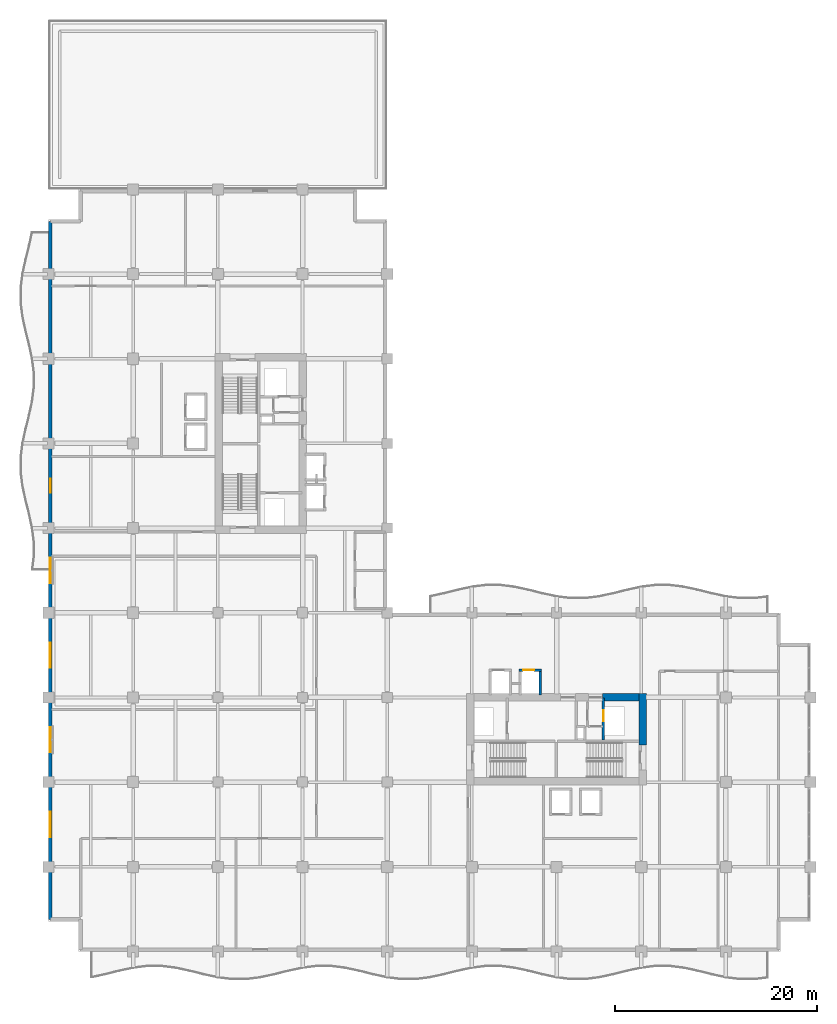
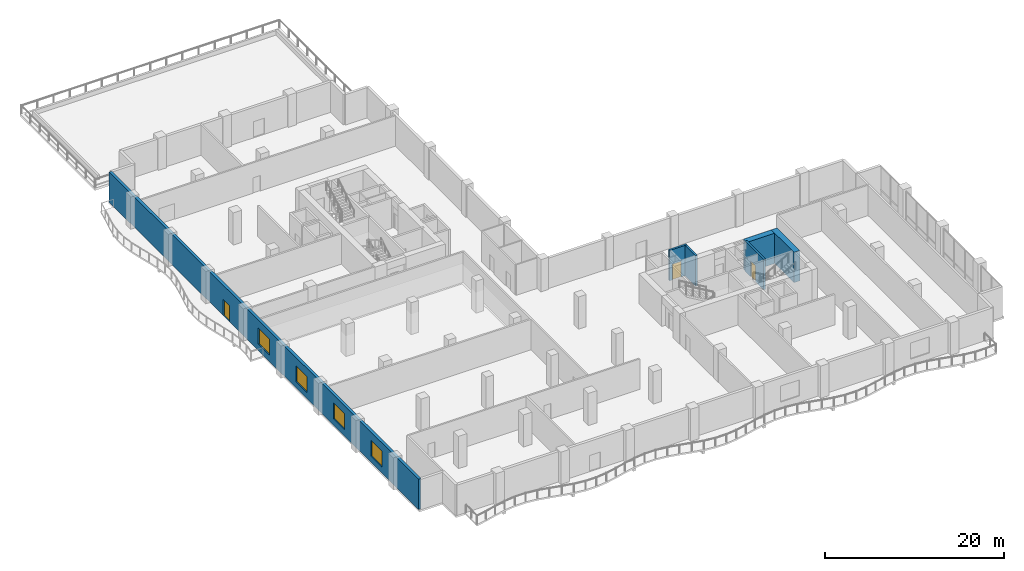
# One storey, part 11 of 22: 6 walls, 4 windows, 3 doors, 7 openings.
"""IFC4 building model written with IfcOpenShell, lengths in metres."""

import ifcopenshell
import ifcopenshell.guid

model = None  # the IFC model being written
_history = None  # IfcOwnerHistory: only IFC2X3 demands one
_inside = {}  # id of a spatial element -> (the spatial element, [elements in it])
_under = {}  # id of a project, library or spatial element -> (it, [spatial elements below it])
_declared = {}  # id of a project -> (the project, [libraries it declares])
_typed = {}  # id of a type object -> (the type object, [elements of that type])
_made_of = {}  # id of a material, layer set ... -> (it, [elements and type objects made of it])


def new_model(schema):
    """Start an empty IFC model of exactly this schema.

    Asked for "IFC4X3", IfcOpenShell would pick the latest addendum, in which some entities
    have other attributes; the version numbers below select the first issue.
    IFC2X3 requires an IfcOwnerHistory on every rooted entity: one is made here for all.
    """
    global model, _history
    if schema == "IFC4X3":
        model = ifcopenshell.file(schema_version=(4, 3, 0, 0))
    else:
        model = ifcopenshell.file(schema=schema)
    _inside.clear()
    _under.clear()
    _declared.clear()
    _typed.clear()
    _made_of.clear()
    _history = None
    if model.schema == "IFC2X3":
        org = make("IfcOrganization", Name="unknown")
        user = make(
            "IfcPersonAndOrganization",
            ThePerson=make("IfcPerson", FamilyName="unknown"),
            TheOrganization=org,
        )
        app = make(
            "IfcApplication",
            ApplicationDeveloper=org,
            Version="unknown",
            ApplicationFullName="unknown",
            ApplicationIdentifier="unknown",
        )
        _history = make(
            "IfcOwnerHistory",
            OwningUser=user,
            OwningApplication=app,
            ChangeAction="ADDED",
            CreationDate=0,
        )
    return model


def make(cls, **values):
    """One entity of the class cls with the attributes given. An attribute that is None is left unset."""
    return model.create_entity(
        cls, **{name: value for name, value in values.items() if value is not None}
    )


def rooted(cls, **values):
    """An entity with a GlobalId (a new one), such as an element, a storey or a relation."""
    return make(cls, GlobalId=ifcopenshell.guid.new(), OwnerHistory=_history, **values)


def si_unit(unit_type, name, prefix=None):
    """IfcSIUnit, for example si_unit("LENGTHUNIT", "METRE", prefix="MILLI")."""
    return make("IfcSIUnit", UnitType=unit_type, Prefix=prefix, Name=name)


def assignment(units):
    """IfcUnitAssignment: the units of a project."""
    return None if units is None else make("IfcUnitAssignment", Units=units)


def point(xyz):
    """IfcCartesianPoint."""
    return None if xyz is None else make("IfcCartesianPoint", Coordinates=xyz)


def direction(xyz):
    """IfcDirection."""
    return None if xyz is None else make("IfcDirection", DirectionRatios=xyz)


def frame(location, z_axis=None, x_axis=None):
    """IfcAxis2Placement3D, a coordinate frame: its origin and axes. An axis left out is left unset."""
    return make(
        "IfcAxis2Placement3D",
        Location=point(location),
        Axis=direction(z_axis),
        RefDirection=direction(x_axis),
    )


def frame_2d(location, x_axis=None):
    """IfcAxis2Placement2D, a coordinate frame in the plane: its origin and x axis."""
    return make(
        "IfcAxis2Placement2D", Location=point(location), RefDirection=direction(x_axis)
    )


def origin():
    """The frame at (0, 0, 0) with its axes left unset."""
    return frame((0.0, 0.0, 0.0))


def place(relative_to, where):
    """IfcLocalPlacement: puts the frame where relative to a parent placement (None: the world)."""
    return make(
        "IfcLocalPlacement", PlacementRelTo=relative_to, RelativePlacement=where
    )


def context(
    kind, dimensions, precision=None, world=None, true_north=None, identifier=None
):
    """IfcGeometricRepresentationContext, for example the 3D "Model" context."""
    return make(
        "IfcGeometricRepresentationContext",
        ContextIdentifier=identifier,
        ContextType=kind,
        CoordinateSpaceDimension=dimensions,
        Precision=precision,
        WorldCoordinateSystem=world,
        TrueNorth=true_north,
    )


def subcontext(parent, identifier, kind, view, scale=None):
    """IfcGeometricRepresentationSubContext, for example "Body" below "Model"."""
    return make(
        "IfcGeometricRepresentationSubContext",
        ContextIdentifier=identifier,
        ContextType=kind,
        ParentContext=parent,
        TargetScale=scale,
        TargetView=view,
    )


def project(units=None, contexts=None):
    """IfcProject with its units and contexts."""
    return rooted(
        "IfcProject",
        Name="project",
        RepresentationContexts=contexts,
        UnitsInContext=assignment(units),
    )


def spatial(cls, under=None, at=None, **own):
    """A site, building, storey or space (cls), placed at a placement, below another one or the project."""
    s = rooted(cls, ObjectPlacement=at, **own)
    if under is not None:
        _under.setdefault(under.id(), (under, []))[1].append(s)
    return s


def profile(cls, at=None, kind="AREA", **sizes):
    """A parametric profile (cls). Its sizes go by their IFC names, for example OverallWidth=200.0."""
    return make(cls, ProfileType=kind, Position=at, **sizes)


def rectangle(**sizes):
    """IfcRectangleProfileDef."""
    return profile("IfcRectangleProfileDef", **sizes)


def extrude(swept, where, along, depth):
    """IfcExtrudedAreaSolid: the profile swept, set in the frame where, extruded along a direction by depth."""
    return make(
        "IfcExtrudedAreaSolid",
        SweptArea=swept,
        Position=where,
        ExtrudedDirection=direction(along),
        Depth=depth,
    )


def shape(context_of_items, identifier, shape_type, items):
    """IfcShapeRepresentation: the items that make up one representation, for example the "Body"."""
    return make(
        "IfcShapeRepresentation",
        ContextOfItems=context_of_items,
        RepresentationIdentifier=identifier,
        RepresentationType=shape_type,
        Items=items,
    )


def material(Name=None, Category=None):
    """IfcMaterial."""
    return make("IfcMaterial", Name=Name, Category=Category)


def layer(
    of_material, thickness, ventilated=None, Name=None, Category=None, Priority=None
):
    """IfcMaterialLayer: one layer of a wall or slab, of a material (None: an air gap)."""
    return make(
        "IfcMaterialLayer",
        Material=of_material,
        LayerThickness=thickness,
        IsVentilated=ventilated,
        Name=Name,
        Category=Category,
        Priority=Priority,
    )


def layer_set(layers, Name=None):
    """IfcMaterialLayerSet."""
    return make("IfcMaterialLayerSet", MaterialLayers=layers, LayerSetName=Name)


def made_of(thing, what):
    """Note that an element or type object is made of a material, layer set ...; save() writes the relation."""
    if what is not None:
        _made_of.setdefault(what.id(), (what, []))[1].append(thing)
    return thing


def type_object(cls, material=None, **own):
    """A type object (cls), such as IfcWallType, which elements share."""
    return made_of(rooted(cls, **own), material)


def element(
    cls,
    number,
    at=None,
    inside=None,
    cuts=None,
    type_object=None,
    material=None,
    context=None,
    identifier="Body",
    shape_type=None,
    held_by="IfcProductDefinitionShape",
    body=None,
    shapes=None,
    **own,
):
    """One element of the class cls, such as IfcWall. Its Tag is "e" and its number.

    at: its placement. inside: the storey or other place that contains it. cuts: it is an
    opening in that element (IfcRelVoidsElement). A single representation is given by context,
    identifier, shape_type and body (its items); several are given by shapes. held_by: the class
    of the entity that holds the representations. save() writes the other relations.
    """
    e = rooted(cls, Tag="e%d" % number, ObjectPlacement=at, **own)
    if body is not None:
        shapes = [shape(context, identifier, shape_type, body)]
    if shapes is not None:
        e.Representation = make(held_by, Representations=shapes)
    if inside is not None:
        _inside.setdefault(inside.id(), (inside, []))[1].append(e)
    if cuts is not None:
        rooted(
            "IfcRelVoidsElement", RelatingBuildingElement=cuts, RelatedOpeningElement=e
        )
    if type_object is not None:
        _typed.setdefault(type_object.id(), (type_object, []))[1].append(e)
    return made_of(e, material)


def fill(opening, filler):
    """IfcRelFillsElement: the door or window that sits in an opening."""
    return rooted(
        "IfcRelFillsElement",
        RelatingOpeningElement=opening,
        RelatedBuildingElement=filler,
    )


def aggregate(whole, parts):
    """IfcRelAggregates: a whole, such as a stair, and the parts it consists of."""
    return rooted("IfcRelAggregates", RelatingObject=whole, RelatedObjects=parts)


def save(model, path):
    """Write the relations noted so far, then the file.

    IfcRelAggregates (storeys below a building ...), IfcRelContainedInSpatialStructure (elements
    in a storey), IfcRelDefinesByType, IfcRelAssociatesMaterial and IfcRelDeclares: one each for
    every whole, place, type object, material and project.
    """
    for whole, parts in _under.values():
        aggregate(whole, parts)
    for where, things in _inside.values():
        rooted(
            "IfcRelContainedInSpatialStructure",
            RelatedElements=things,
            RelatingStructure=where,
        )
    for kind, things in _typed.values():
        rooted("IfcRelDefinesByType", RelatedObjects=things, RelatingType=kind)
    for what, things in _made_of.values():
        rooted("IfcRelAssociatesMaterial", RelatedObjects=things, RelatingMaterial=what)
    for by, libraries in _declared.values():
        rooted("IfcRelDeclares", RelatingContext=by, RelatedDefinitions=libraries)
    model.write(path)


model = new_model("IFC4")

# Units and contexts
model_context = context("Model", 3, precision=1e-05, world=origin(), true_north=direction((0.0, 1.0)))
body_context = subcontext(model_context, "Body", "Model", "MODEL_VIEW")
ifc_project = project(units=[si_unit("LENGTHUNIT", "METRE"), si_unit("AREAUNIT", "SQUARE_METRE"), si_unit("VOLUMEUNIT", "CUBIC_METRE"), si_unit("PLANEANGLEUNIT", "RADIAN"), si_unit("MASSUNIT", "GRAM", prefix="KILO")], contexts=[model_context])

# Site, building, storey
site_placement = place(None, origin())
site = spatial("IfcSite", under=ifc_project, at=site_placement, CompositionType="ELEMENT")
building_placement = place(site_placement, origin())
building = spatial("IfcBuilding", under=site, at=building_placement, Name="Koriwani Terraces Tower", CompositionType="ELEMENT")
storey_placement = place(building_placement, frame((0.0, 0.0, 153.199951171875)))
storey = spatial("IfcBuildingStorey", under=building, at=storey_placement, Name="L37", CompositionType="ELEMENT", Elevation=153.199951171875)

# Walls
ifc_material_1 = material(Name="Concrete C60/75", Category="concrete")
ifc_layer_1 = layer(ifc_material_1, 0.75, Name="Concrete C60/75")
ifc_layer_set_1 = layer_set([ifc_layer_1], Name="Concrete C60/75")
wall_type_1 = type_object("IfcWallType", Name="WALL_CORE_RC_750", PredefinedType="SHEAR", material=ifc_layer_set_1)
wall_1_placement = place(storey_placement, frame((58.925048828125, 20.5, 0.0), z_axis=(0.0, 0.0, 1.0), x_axis=(0.0, 1.0, 0.0)))
element("IfcWall", 1, at=wall_1_placement, inside=storey, type_object=wall_type_1, Name="L37 East Split Core Shear Wall E2", PredefinedType="SHEAR", context=body_context, shape_type="SweptSolid", body=[
    extrude(rectangle(XDim=5.074951171875, YDim=0.75, at=frame_2d((2.53759765625, 0.0))), origin(), (0.0, 0.0, 1.0), 4.150146484375),
])
wall_2_placement = place(storey_placement, frame((54.949951171875, 25.199951171875, 0.0), z_axis=(0.0, 0.0, 1.0), x_axis=(1.0, 0.0, 0.0)))
element("IfcWall", 2, at=wall_2_placement, inside=storey, type_object=wall_type_1, Name="L37 East Split Core Shear Wall N3", PredefinedType="SHEAR", context=body_context, shape_type="SweptSolid", body=[
    extrude(rectangle(XDim=3.60009765625, YDim=0.75, at=frame_2d((1.800048828125, 0.0))), origin(), (0.0, 0.0, 1.0), 4.150146484375),
])

# Wall, openings, door, windows
ifc_material_2 = material(Name="Concrete C50/60", Category="concrete")
ifc_layer_2 = layer(ifc_material_2, 0.35009765625, Name="Concrete C50/60")
ifc_layer_set_2 = layer_set([ifc_layer_2], Name="Concrete C50/60")
wall_type_2 = type_object("IfcWallType", Name="WALL_EXT_BRUTALIST_350", PredefinedType="STANDARD", material=ifc_layer_set_2)
wall_3_placement = place(storey_placement, frame((0.175048828125, 3.175048828125, 0.0), z_axis=(0.0, 0.0, 1.0), x_axis=(0.0, 1.0, 0.0)))
wall_3 = element("IfcWall", 3, at=wall_3_placement, inside=storey, type_object=wall_type_2, Name="L37 Fair-Faced Brutalist Exterior Wall (W)", PredefinedType="STANDARD", context=body_context, shape_type="SweptSolid", body=[
    extrude(rectangle(XDim=69.25, YDim=0.35009765625, at=frame_2d((34.625, 0.0))), origin(), (0.0, 0.0, 1.0), 4.150146484375),
])
opening_1_placement = place(wall_3_placement, frame((42.324951171875, 0.0, 0.0)))
opening_1 = element("IfcOpeningElement", 4, at=opening_1_placement, cuts=wall_3, Name="Opening D-09", PredefinedType="OPENING", context=body_context, shape_type="SweptSolid", body=[
    extrude(rectangle(XDim=1.39990234375, YDim=2.199951171875, at=frame_2d((0.699951171875, 1.10009765625))), frame((0.0, 0.18505859375, 0.0), z_axis=(0.0, -1.0, 0.0), x_axis=(1.0, 0.0, 0.0)), (0.0, 0.0, 1.0), 0.3701171875),
])
opening_2_placement = place(wall_3_placement, frame((8.175048828125, 0.0, 0.85009765625)))
opening_2 = element("IfcOpeningElement", 5, at=opening_2_placement, cuts=wall_3, Name="Opening W-07", PredefinedType="OPENING", context=body_context, shape_type="SweptSolid", body=[
    extrude(rectangle(XDim=2.5, YDim=2.199951171875, at=frame_2d((1.25, 1.10009765625))), frame((0.0, 0.18505859375, 0.0), z_axis=(0.0, -1.0, 0.0), x_axis=(1.0, 0.0, 0.0)), (0.0, 0.0, 1.0), 0.3701171875),
])
opening_3_placement = place(wall_3_placement, frame((16.574951171875, 0.0, 0.85009765625)))
opening_3 = element("IfcOpeningElement", 6, at=opening_3_placement, cuts=wall_3, Name="Opening W-07", PredefinedType="OPENING", context=body_context, shape_type="SweptSolid", body=[
    extrude(rectangle(XDim=2.5, YDim=2.199951171875, at=frame_2d((1.25, 1.10009765625))), frame((0.0, 0.18505859375, 0.0), z_axis=(0.0, -1.0, 0.0), x_axis=(1.0, 0.0, 0.0)), (0.0, 0.0, 1.0), 0.3701171875),
])
opening_4_placement = place(wall_3_placement, frame((24.97509765625, 0.0, 0.85009765625)))
opening_4 = element("IfcOpeningElement", 7, at=opening_4_placement, cuts=wall_3, Name="Opening W-07", PredefinedType="OPENING", context=body_context, shape_type="SweptSolid", body=[
    extrude(rectangle(XDim=2.5, YDim=2.199951171875, at=frame_2d((1.25, 1.10009765625))), frame((0.0, 0.18505859375, 0.0), z_axis=(0.0, -1.0, 0.0), x_axis=(1.0, 0.0, 0.0)), (0.0, 0.0, 1.0), 0.3701171875),
])
opening_5_placement = place(wall_3_placement, frame((33.375, 0.0, 0.85009765625)))
opening_5 = element("IfcOpeningElement", 8, at=opening_5_placement, cuts=wall_3, Name="Opening W-07", PredefinedType="OPENING", context=body_context, shape_type="SweptSolid", body=[
    extrude(rectangle(XDim=2.5, YDim=2.199951171875, at=frame_2d((1.25, 1.10009765625))), frame((0.0, 0.18505859375, 0.0), z_axis=(0.0, -1.0, 0.0), x_axis=(1.0, 0.0, 0.0)), (0.0, 0.0, 1.0), 0.3701171875),
])
ifc_material_3 = material(Name="Anodised Bronze Aluminium", Category="aluminium")
door_type_1 = type_object("IfcDoorType", Name="DOOR_BALCONY_GLAZED_1400X2200", OperationType="NOTDEFINED", PredefinedType="DOOR", material=ifc_material_3)
door_1_placement = place(opening_1_placement, origin())
door_1 = element("IfcDoor", 9, at=door_1_placement, inside=storey, type_object=door_type_1, Name="L37 West Balcony Glazed Door", OperationType="SINGLE_SWING_LEFT", OverallHeight=2.199951171875, OverallWidth=1.39990234375, PredefinedType="DOOR", context=body_context, shape_type="SweptSolid", body=[
    extrude(rectangle(XDim=1.39990234375, YDim=2.199951171875, at=frame_2d((0.699951171875, 1.10009765625))), frame((0.0, 0.02490234375, 0.0), z_axis=(0.0, -1.0, 0.0), x_axis=(1.0, 0.0, 0.0)), (0.0, 0.0, 1.0), 0.050048828125),
])
fill(opening_1, door_1)
ifc_material_4 = material(Name="Tempered Laminated Low-E Glass", Category="glass")
window_type = type_object("IfcWindowType", Name="WIN_SKY_LOUNGE_2500X2200", PartitioningType="SINGLE_PANEL", PredefinedType="WINDOW", material=ifc_material_4)
window_1_placement = place(opening_2_placement, origin())
window_1 = element("IfcWindow", 10, at=window_1_placement, inside=storey, type_object=window_type, Name="L37 Exterior Window (W-3)", OverallHeight=2.199951171875, OverallWidth=2.5, PartitioningType="SINGLE_PANEL", PredefinedType="WINDOW", context=body_context, shape_type="SweptSolid", body=[
    extrude(rectangle(XDim=2.5, YDim=2.199951171875, at=frame_2d((1.25, 1.10009765625))), frame((0.0, 0.030029296875, 0.0), z_axis=(0.0, -1.0, 0.0), x_axis=(1.0, 0.0, 0.0)), (0.0, 0.0, 1.0), 0.06005859375),
])
fill(opening_2, window_1)
window_2_placement = place(opening_3_placement, origin())
window_2 = element("IfcWindow", 11, at=window_2_placement, inside=storey, type_object=window_type, Name="L37 Exterior Window (W-6)", OverallHeight=2.199951171875, OverallWidth=2.5, PartitioningType="SINGLE_PANEL", PredefinedType="WINDOW", context=body_context, shape_type="SweptSolid", body=[
    extrude(rectangle(XDim=2.5, YDim=2.199951171875, at=frame_2d((1.25, 1.10009765625))), frame((0.0, 0.030029296875, 0.0), z_axis=(0.0, -1.0, 0.0), x_axis=(1.0, 0.0, 0.0)), (0.0, 0.0, 1.0), 0.06005859375),
])
fill(opening_3, window_2)
window_3_placement = place(opening_4_placement, origin())
window_3 = element("IfcWindow", 12, at=window_3_placement, inside=storey, type_object=window_type, Name="L37 Exterior Window (W-9)", OverallHeight=2.199951171875, OverallWidth=2.5, PartitioningType="SINGLE_PANEL", PredefinedType="WINDOW", context=body_context, shape_type="SweptSolid", body=[
    extrude(rectangle(XDim=2.5, YDim=2.199951171875, at=frame_2d((1.25, 1.10009765625))), frame((0.0, 0.030029296875, 0.0), z_axis=(0.0, -1.0, 0.0), x_axis=(1.0, 0.0, 0.0)), (0.0, 0.0, 1.0), 0.06005859375),
])
fill(opening_4, window_3)
window_4_placement = place(opening_5_placement, origin())
window_4 = element("IfcWindow", 13, at=window_4_placement, inside=storey, type_object=window_type, Name="L37 Exterior Window (W-12)", OverallHeight=2.199951171875, OverallWidth=2.5, PartitioningType="SINGLE_PANEL", PredefinedType="WINDOW", context=body_context, shape_type="SweptSolid", body=[
    extrude(rectangle(XDim=2.5, YDim=2.199951171875, at=frame_2d((1.25, 1.10009765625))), frame((0.0, 0.030029296875, 0.0), z_axis=(0.0, -1.0, 0.0), x_axis=(1.0, 0.0, 0.0)), (0.0, 0.0, 1.0), 0.06005859375),
])
fill(opening_5, window_4)

# Wall, opening, door
ifc_material_5 = material(Name="Concrete C40/50", Category="concrete")
ifc_layer_3 = layer(ifc_material_5, 0.25, Name="Concrete C40/50")
ifc_layer_set_3 = layer_set([ifc_layer_3], Name="Concrete C40/50")
wall_type_3 = type_object("IfcWallType", Name="WALL_SHAFT_RATED_250", PredefinedType="SOLIDWALL", material=ifc_layer_set_3)
wall_4_placement = place(storey_placement, frame((55.050048828125, 21.0, 0.0), z_axis=(0.0, 0.0, 1.0), x_axis=(0.0, 1.0, 0.0)))
wall_4 = element("IfcWall", 14, at=wall_4_placement, inside=storey, type_object=wall_type_3, Name="L37 Interior Wall WIN-CE-L37-SE", PredefinedType="SOLIDWALL", context=body_context, shape_type="SweptSolid", body=[
    extrude(rectangle(XDim=4.14990234375, YDim=0.25, at=frame_2d((2.074951171875, 0.0))), origin(), (0.0, 0.0, 1.0), 4.150146484375),
])
opening_6_placement = place(wall_4_placement, frame((1.85009765625, 0.0, 0.0)))
opening_6 = element("IfcOpeningElement", 15, at=opening_6_placement, cuts=wall_4, Name="Opening LD-01", PredefinedType="OPENING", context=body_context, shape_type="SweptSolid", body=[
    extrude(rectangle(XDim=1.10009765625, YDim=2.14990234375, at=frame_2d((0.550048828125, 1.074951171875))), frame((0.0, 0.135009765625, 0.0), z_axis=(0.0, -1.0, 0.0), x_axis=(1.0, 0.0, 0.0)), (0.0, 0.0, 1.0), 0.27001953125),
])
ifc_material_6 = material(Name="Steel ASTM A572 Grade 50", Category="steel")
door_type_2 = type_object("IfcDoorType", Name="DOOR_LIFT_LANDING_1100X2200", OperationType="NOTDEFINED", PredefinedType="DOOR", material=ifc_material_6)
door_2_placement = place(opening_6_placement, origin())
door_2 = element("IfcDoor", 16, at=door_2_placement, inside=storey, type_object=door_type_2, Name="L37 Goods Lift SE-02 Landing Door", OperationType="SLIDING_TO_LEFT", OverallHeight=2.14990234375, OverallWidth=1.10009765625, PredefinedType="DOOR", context=body_context, shape_type="SweptSolid", body=[
    extrude(rectangle(XDim=1.10009765625, YDim=2.14990234375, at=frame_2d((0.550048828125, 1.074951171875))), frame((0.0, 0.02490234375, 0.0), z_axis=(0.0, -1.0, 0.0), x_axis=(1.0, 0.0, 0.0)), (0.0, 0.0, 1.0), 0.050048828125),
])
fill(opening_6, door_2)

wall_5_placement = place(storey_placement, frame((46.675048828125, 27.89990234375, 0.0), z_axis=(0.0, 0.0, 1.0), x_axis=(1.0, 0.0, 0.0)))
wall_5 = element("IfcWall", 17, at=wall_5_placement, inside=storey, type_object=wall_type_3, Name="L37 Interior Wall WIN-LF-PE-H4-L37-F", PredefinedType="SOLIDWALL", context=body_context, shape_type="SweptSolid", body=[
    extrude(rectangle(XDim=2.25, YDim=0.25, at=frame_2d((1.125, 0.0))), origin(), (0.0, 0.0, 1.0), 4.150146484375),
])
opening_7_placement = place(wall_5_placement, frame((0.39990234375, 0.0, 0.0)))
opening_7 = element("IfcOpeningElement", 18, at=opening_7_placement, cuts=wall_5, Name="Opening LD-01", PredefinedType="OPENING", context=body_context, shape_type="SweptSolid", body=[
    extrude(rectangle(XDim=1.10009765625, YDim=2.14990234375, at=frame_2d((0.550048828125, 1.074951171875))), frame((0.0, 0.135009765625, 0.0), z_axis=(0.0, -1.0, 0.0), x_axis=(1.0, 0.0, 0.0)), (0.0, 0.0, 1.0), 0.27001953125),
])
door_3_placement = place(opening_7_placement, origin())
door_3 = element("IfcDoor", 19, at=door_3_placement, inside=storey, type_object=door_type_2, Name="L37 Passenger Lift PE-H4 Landing Door", OperationType="SLIDING_TO_LEFT", OverallHeight=2.14990234375, OverallWidth=1.10009765625, PredefinedType="DOOR", context=body_context, shape_type="SweptSolid", body=[
    extrude(rectangle(XDim=1.10009765625, YDim=2.14990234375, at=frame_2d((0.550048828125, 1.074951171875))), frame((0.0, 0.02490234375, 0.0), z_axis=(0.0, -1.0, 0.0), x_axis=(1.0, 0.0, 0.0)), (0.0, 0.0, 1.0), 0.050048828125),
])
fill(opening_7, door_3)

# Wall
wall_6_placement = place(storey_placement, frame((48.800048828125, 25.449951171875, 0.0), z_axis=(0.0, 0.0, 1.0), x_axis=(0.0, 1.0, 0.0)))
element("IfcWall", 20, at=wall_6_placement, inside=storey, type_object=wall_type_3, Name="L37 Interior Wall WIN-LF-PE-H4-L37-E", PredefinedType="SOLIDWALL", context=body_context, shape_type="SweptSolid", body=[
    extrude(rectangle(XDim=2.324951171875, YDim=0.25, at=frame_2d((1.16259765625, 0.0))), origin(), (0.0, 0.0, 1.0), 4.150146484375),
])

save(model, "model.ifc")
